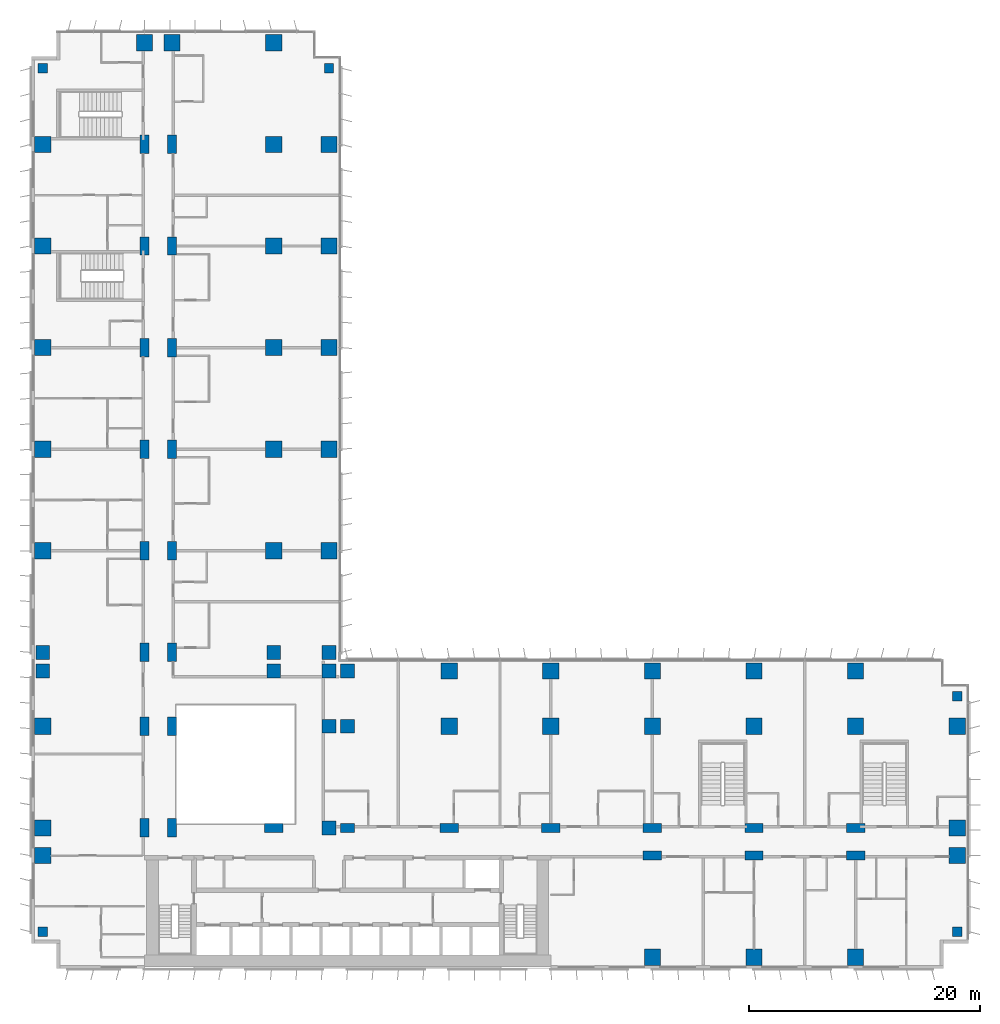
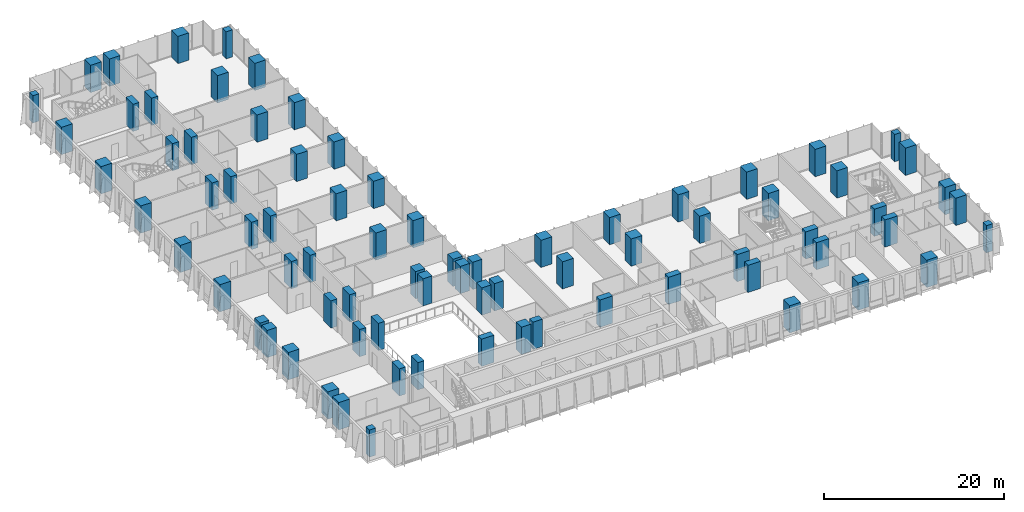
# One storey, part 1 of 24: 78 columns.
"""IFC4 building model written with IfcOpenShell, lengths in metres."""

from ifc_helpers import new_model, si_unit, direction, frame, origin, origin_2d, place, context, subcontext, project, spatial, rectangle, extrude, material, material_profile, profile_set, type_object, element, save


model = new_model("IFC4")

# Units and contexts
model_context = context("Model", 3, precision=1e-05, world=origin(), true_north=direction((0.0, 1.0)))
body_context = subcontext(model_context, "Body", "Model", "MODEL_VIEW")
ifc_project = project(units=[si_unit("LENGTHUNIT", "METRE"), si_unit("AREAUNIT", "SQUARE_METRE"), si_unit("VOLUMEUNIT", "CUBIC_METRE"), si_unit("PLANEANGLEUNIT", "RADIAN"), si_unit("MASSUNIT", "GRAM", prefix="KILO")], contexts=[model_context])

# Site, building, storey
site_placement = place(None, origin())
site = spatial("IfcSite", under=ifc_project, at=site_placement, CompositionType="ELEMENT")
building_placement = place(site_placement, origin())
building = spatial("IfcBuilding", under=site, at=building_placement, Name="Kemantara Hotel Tower", CompositionType="ELEMENT")
storey_placement = place(building_placement, frame((0.0, 0.0, 76.0)))
storey = spatial("IfcBuildingStorey", under=building, at=storey_placement, Name="L17", CompositionType="ELEMENT", Elevation=76.0)

# Columns
ifc_material = material(Name="Concrete fc 70 MPa", Category="concrete")
ifc_material_profile_1 = material_profile(ifc_material, rectangle(XDim=1.199951171875, YDim=1.199951171875, at=origin_2d()), Name="RC 1200X1200")
ifc_profile_set_1 = profile_set([ifc_material_profile_1], Name="Concrete fc 70 MPa")
column_type_1 = type_object("IfcColumnType", Name="RC COLUMN 1200X1200 FC70", PredefinedType="COLUMN", material=ifc_profile_set_1)
for number, where, z_axis, x_axis, name in (
    (1, (1.0, 25.800048828125, 0.0), (0.0, 0.0, 1.0), (1.0, 0.0, 0.0), "COLUMN 1/CA L17"),
    (2, (1.0, 27.39990234375, 0.0), (0.0, 0.0, 1.0), (1.0, 0.0, 0.0), "COLUMN 1/D L17"),
    (3, (21.0, 25.800048828125, 0.0), (0.0, 0.0, 1.0), (1.0, 0.0, 0.0), "COLUMN 3/CA L17"),
    (4, (21.0, 27.39990234375, 0.0), (0.0, 0.0, 1.0), (1.0, 0.0, 0.0), "COLUMN 3/D L17"),
    (5, (25.800048828125, 12.199951171875, 0.0), (0.0, 0.0, 1.0), (1.0, 0.0, 0.0), "COLUMN 3A/BA L17"),
    (6, (25.800048828125, 21.0, 0.0), (0.0, 0.0, 1.0), (1.0, 0.0, 0.0), "COLUMN 3A/C L17"),
    (7, (25.800048828125, 25.800048828125, 0.0), (0.0, 0.0, 1.0), (1.0, 0.0, 0.0), "COLUMN 3A/CA L17"),
    (8, (25.800048828125, 27.39990234375, 0.0), (0.0, 0.0, 1.0), (1.0, 0.0, 0.0), "COLUMN 3A/D L17"),
    (9, (27.39990234375, 21.0, 0.0), (0.0, 0.0, 1.0), (1.0, 0.0, 0.0), "COLUMN 4/C L17"),
    (10, (27.39990234375, 25.800048828125, 0.0), (0.0, 0.0, 1.0), (1.0, 0.0, 0.0), "COLUMN 4/CA L17"),
):
    element("IfcColumn", number, at=place(storey_placement, frame(where, z_axis=z_axis, x_axis=x_axis)), inside=storey, type_object=column_type_1, Name=name, PredefinedType="COLUMN", context=body_context, shape_type="SweptSolid", body=[
        extrude(rectangle(XDim=1.199951171875, YDim=1.199951171875, at=origin_2d()), origin(), (0.0, 0.0, 1.0), 3.699951171875),
    ])
ifc_material_profile_2 = material_profile(ifc_material, rectangle(XDim=1.199951171875, YDim=0.800048828125, at=origin_2d()), Name="RC 1200X800")
ifc_profile_set_2 = profile_set([ifc_material_profile_2], Name="Concrete fc 70 MPa")
column_type_2 = type_object("IfcColumnType", Name="RC COLUMN 1200X800 FC70", PredefinedType="COLUMN", material=ifc_profile_set_2)
column_placement = place(storey_placement, frame((27.39990234375, 12.199951171875, 0.0), z_axis=(0.0, 0.0, 1.0), x_axis=(1.0, 0.0, 0.0)))
element("IfcColumn", 11, at=column_placement, inside=storey, type_object=column_type_2, Name="COLUMN 4/BA L17", PredefinedType="COLUMN", context=body_context, shape_type="SweptSolid", body=[
    extrude(rectangle(XDim=1.199951171875, YDim=0.800048828125, at=origin_2d()), origin(), (0.0, 0.0, 1.0), 3.699951171875),
])
ifc_material_profile_3 = material_profile(ifc_material, rectangle(XDim=1.39990234375, YDim=1.39990234375, at=origin_2d()), Name="RC 1400X1400")
ifc_profile_set_3 = profile_set([ifc_material_profile_3], Name="Concrete fc 70 MPa")
column_type_3 = type_object("IfcColumnType", Name="RC COLUMN 1400X1400 FC70", PredefinedType="COLUMN", material=ifc_profile_set_3)
for number, where, z_axis, x_axis, name in (
    (12, (1.0, 9.800048828125, 0.0), (0.0, 0.0, 1.0), (1.0, 0.0, 0.0), "COLUMN 1/B L17"),
    (13, (1.0, 12.199951171875, 0.0), (0.0, 0.0, 1.0), (1.0, 0.0, 0.0), "COLUMN 1/BA L17"),
    (14, (1.0, 21.0, 0.0), (0.0, 0.0, 1.0), (1.0, 0.0, 0.0), "COLUMN 1/C L17"),
    (15, (1.0, 36.199951171875, 0.0), (0.0, 0.0, 1.0), (1.0, 0.0, 0.0), "COLUMN 1/E L17"),
    (16, (1.0, 45.0, 0.0), (0.0, 0.0, 1.0), (1.0, 0.0, 0.0), "COLUMN 1/F L17"),
    (17, (1.0, 53.800048828125, 0.0), (0.0, 0.0, 1.0), (1.0, 0.0, 0.0), "COLUMN 1/G L17"),
    (18, (1.0, 62.60009765625, 0.0), (0.0, 0.0, 1.0), (1.0, 0.0, 0.0), "COLUMN 1/H L17"),
    (19, (1.0, 71.39990234375, 0.0), (0.0, 0.0, 1.0), (1.0, 0.0, 0.0), "COLUMN 1/J L17"),
    (20, (9.800048828125, 80.199951171875, 0.0), (0.0, 0.0, 1.0), (1.0, 0.0, 0.0), "COLUMN 2/K L17"),
    (21, (12.199951171875, 80.199951171875, 0.0), (0.0, 0.0, 1.0), (1.0, 0.0, 0.0), "COLUMN 2A/K L17"),
    (22, (21.0, 36.199951171875, 0.0), (0.0, 0.0, 1.0), (1.0, 0.0, 0.0), "COLUMN 3/E L17"),
    (23, (21.0, 45.0, 0.0), (0.0, 0.0, 1.0), (1.0, 0.0, 0.0), "COLUMN 3/F L17"),
    (24, (21.0, 53.800048828125, 0.0), (0.0, 0.0, 1.0), (1.0, 0.0, 0.0), "COLUMN 3/G L17"),
    (25, (21.0, 62.60009765625, 0.0), (0.0, 0.0, 1.0), (1.0, 0.0, 0.0), "COLUMN 3/H L17"),
    (26, (21.0, 71.39990234375, 0.0), (0.0, 0.0, 1.0), (1.0, 0.0, 0.0), "COLUMN 3/J L17"),
    (27, (21.0, 80.199951171875, 0.0), (0.0, 0.0, 1.0), (1.0, 0.0, 0.0), "COLUMN 3/K L17"),
    (28, (25.800048828125, 36.199951171875, 0.0), (0.0, 0.0, 1.0), (1.0, 0.0, 0.0), "COLUMN 3A/E L17"),
    (29, (25.800048828125, 45.0, 0.0), (0.0, 0.0, 1.0), (1.0, 0.0, 0.0), "COLUMN 3A/F L17"),
    (30, (25.800048828125, 53.800048828125, 0.0), (0.0, 0.0, 1.0), (1.0, 0.0, 0.0), "COLUMN 3A/G L17"),
    (31, (25.800048828125, 62.60009765625, 0.0), (0.0, 0.0, 1.0), (1.0, 0.0, 0.0), "COLUMN 3A/H L17"),
    (32, (25.800048828125, 71.39990234375, 0.0), (0.0, 0.0, 1.0), (1.0, 0.0, 0.0), "COLUMN 3A/J L17"),
    (33, (36.199951171875, 21.0, 0.0), (0.0, 0.0, 1.0), (1.0, 0.0, 0.0), "COLUMN 5/C L17"),
    (34, (36.199951171875, 25.800048828125, 0.0), (0.0, 0.0, 1.0), (1.0, 0.0, 0.0), "COLUMN 5/CA L17"),
    (35, (45.0, 21.0, 0.0), (0.0, 0.0, 1.0), (1.0, 0.0, 0.0), "COLUMN 6/C L17"),
    (36, (45.0, 25.800048828125, 0.0), (0.0, 0.0, 1.0), (1.0, 0.0, 0.0), "COLUMN 6/CA L17"),
    (37, (53.800048828125, 1.0, 0.0), (0.0, 0.0, 1.0), (1.0, 0.0, 0.0), "COLUMN 7/A L17"),
    (38, (53.800048828125, 21.0, 0.0), (0.0, 0.0, 1.0), (1.0, 0.0, 0.0), "COLUMN 7/C L17"),
    (39, (53.800048828125, 25.800048828125, 0.0), (0.0, 0.0, 1.0), (1.0, 0.0, 0.0), "COLUMN 7/CA L17"),
    (40, (62.60009765625, 1.0, 0.0), (0.0, 0.0, 1.0), (1.0, 0.0, 0.0), "COLUMN 8/A L17"),
    (41, (62.60009765625, 21.0, 0.0), (0.0, 0.0, 1.0), (1.0, 0.0, 0.0), "COLUMN 8/C L17"),
    (42, (62.60009765625, 25.800048828125, 0.0), (0.0, 0.0, 1.0), (1.0, 0.0, 0.0), "COLUMN 8/CA L17"),
    (43, (71.39990234375, 1.0, 0.0), (0.0, 0.0, 1.0), (1.0, 0.0, 0.0), "COLUMN 9/A L17"),
    (44, (71.39990234375, 21.0, 0.0), (0.0, 0.0, 1.0), (1.0, 0.0, 0.0), "COLUMN 9/C L17"),
    (45, (71.39990234375, 25.800048828125, 0.0), (0.0, 0.0, 1.0), (1.0, 0.0, 0.0), "COLUMN 9/CA L17"),
    (46, (80.199951171875, 9.800048828125, 0.0), (0.0, 0.0, 1.0), (1.0, 0.0, 0.0), "COLUMN 10/B L17"),
    (47, (80.199951171875, 12.199951171875, 0.0), (0.0, 0.0, 1.0), (1.0, 0.0, 0.0), "COLUMN 10/BA L17"),
    (48, (80.199951171875, 21.0, 0.0), (0.0, 0.0, 1.0), (1.0, 0.0, 0.0), "COLUMN 10/C L17"),
):
    element("IfcColumn", number, at=place(storey_placement, frame(where, z_axis=z_axis, x_axis=x_axis)), inside=storey, type_object=column_type_3, Name=name, PredefinedType="COLUMN", context=body_context, shape_type="SweptSolid", body=[
        extrude(rectangle(XDim=1.39990234375, YDim=1.39990234375, at=origin_2d()), origin(), (0.0, 0.0, 1.0), 3.699951171875),
    ])
ifc_material_profile_4 = material_profile(ifc_material, rectangle(XDim=1.60009765625, YDim=0.800048828125, at=origin_2d()), Name="RC 1600X800")
ifc_profile_set_4 = profile_set([ifc_material_profile_4], Name="Concrete fc 70 MPa")
column_type_4 = type_object("IfcColumnType", Name="RC COLUMN 1600X800 FC70", PredefinedType="COLUMN", material=ifc_profile_set_4)
for number, where, z_axis, x_axis, name in (
    (49, (9.800048828125, 12.199951171875, 0.0), (0.0, 0.0, 1.0), (0.0, 1.0, 0.0), "COLUMN 2/BA L17"),
    (50, (9.800048828125, 21.0, 0.0), (0.0, 0.0, 1.0), (0.0, 1.0, 0.0), "COLUMN 2/C L17"),
    (51, (9.800048828125, 27.39990234375, 0.0), (0.0, 0.0, 1.0), (0.0, 1.0, 0.0), "COLUMN 2/D L17"),
    (52, (9.800048828125, 36.199951171875, 0.0), (0.0, 0.0, 1.0), (0.0, 1.0, 0.0), "COLUMN 2/E L17"),
    (53, (9.800048828125, 45.0, 0.0), (0.0, 0.0, 1.0), (0.0, 1.0, 0.0), "COLUMN 2/F L17"),
    (54, (9.800048828125, 53.800048828125, 0.0), (0.0, 0.0, 1.0), (0.0, 1.0, 0.0), "COLUMN 2/G L17"),
    (55, (9.800048828125, 62.60009765625, 0.0), (0.0, 0.0, 1.0), (0.0, 1.0, 0.0), "COLUMN 2/H L17"),
    (56, (9.800048828125, 71.39990234375, 0.0), (0.0, 0.0, 1.0), (0.0, 1.0, 0.0), "COLUMN 2/J L17"),
    (57, (12.199951171875, 12.199951171875, 0.0), (0.0, 0.0, 1.0), (0.0, 1.0, 0.0), "COLUMN 2A/BA L17"),
    (58, (12.199951171875, 21.0, 0.0), (0.0, 0.0, 1.0), (0.0, 1.0, 0.0), "COLUMN 2A/C L17"),
    (59, (12.199951171875, 27.39990234375, 0.0), (0.0, 0.0, 1.0), (0.0, 1.0, 0.0), "COLUMN 2A/D L17"),
    (60, (12.199951171875, 36.199951171875, 0.0), (0.0, 0.0, 1.0), (0.0, 1.0, 0.0), "COLUMN 2A/E L17"),
    (61, (12.199951171875, 45.0, 0.0), (0.0, 0.0, 1.0), (0.0, 1.0, 0.0), "COLUMN 2A/F L17"),
    (62, (12.199951171875, 53.800048828125, 0.0), (0.0, 0.0, 1.0), (0.0, 1.0, 0.0), "COLUMN 2A/G L17"),
    (63, (12.199951171875, 62.60009765625, 0.0), (0.0, 0.0, 1.0), (0.0, 1.0, 0.0), "COLUMN 2A/H L17"),
    (64, (12.199951171875, 71.39990234375, 0.0), (0.0, 0.0, 1.0), (0.0, 1.0, 0.0), "COLUMN 2A/J L17"),
    (65, (21.0, 12.199951171875, 0.0), (0.0, 0.0, 1.0), (1.0, 0.0, 0.0), "COLUMN 3/BA L17"),
    (66, (36.199951171875, 12.199951171875, 0.0), (0.0, 0.0, 1.0), (1.0, 0.0, 0.0), "COLUMN 5/BA L17"),
    (67, (45.0, 12.199951171875, 0.0), (0.0, 0.0, 1.0), (1.0, 0.0, 0.0), "COLUMN 6/BA L17"),
    (68, (53.800048828125, 9.800048828125, 0.0), (0.0, 0.0, 1.0), (1.0, 0.0, 0.0), "COLUMN 7/B L17"),
    (69, (53.800048828125, 12.199951171875, 0.0), (0.0, 0.0, 1.0), (1.0, 0.0, 0.0), "COLUMN 7/BA L17"),
    (70, (62.60009765625, 9.800048828125, 0.0), (0.0, 0.0, 1.0), (1.0, 0.0, 0.0), "COLUMN 8/B L17"),
    (71, (62.60009765625, 12.199951171875, 0.0), (0.0, 0.0, 1.0), (1.0, 0.0, 0.0), "COLUMN 8/BA L17"),
    (72, (71.39990234375, 9.800048828125, 0.0), (0.0, 0.0, 1.0), (1.0, 0.0, 0.0), "COLUMN 9/B L17"),
    (73, (71.39990234375, 12.199951171875, 0.0), (0.0, 0.0, 1.0), (1.0, 0.0, 0.0), "COLUMN 9/BA L17"),
):
    element("IfcColumn", number, at=place(storey_placement, frame(where, z_axis=z_axis, x_axis=x_axis)), inside=storey, type_object=column_type_4, Name=name, PredefinedType="COLUMN", context=body_context, shape_type="SweptSolid", body=[
        extrude(rectangle(XDim=1.60009765625, YDim=0.800048828125, at=origin_2d()), origin(), (0.0, 0.0, 1.0), 3.699951171875),
    ])
ifc_material_profile_5 = material_profile(ifc_material, rectangle(XDim=0.800048828125, YDim=0.800048828125, at=origin_2d()), Name="RC 800X800")
ifc_profile_set_5 = profile_set([ifc_material_profile_5], Name="Concrete fc 70 MPa")
column_type_5 = type_object("IfcColumnType", Name="RC COLUMN 800X800 FC70", PredefinedType="COLUMN", material=ifc_profile_set_5)
for number, where, z_axis, x_axis, name in (
    (74, (1.0, 3.199951171875, 0.0), (0.0, 0.0, 1.0), (1.0, 0.0, 0.0), "COLUMN notch corner L17"),
    (75, (1.0, 78.0, 0.0), (0.0, 0.0, 1.0), (1.0, 0.0, 0.0), "COLUMN notch corner L17"),
    (76, (25.800048828125, 78.0, 0.0), (0.0, 0.0, 1.0), (1.0, 0.0, 0.0), "COLUMN notch corner L17"),
    (77, (80.199951171875, 3.199951171875, 0.0), (0.0, 0.0, 1.0), (1.0, 0.0, 0.0), "COLUMN notch corner L17"),
    (78, (80.199951171875, 23.60009765625, 0.0), (0.0, 0.0, 1.0), (1.0, 0.0, 0.0), "COLUMN notch corner L17"),
):
    element("IfcColumn", number, at=place(storey_placement, frame(where, z_axis=z_axis, x_axis=x_axis)), inside=storey, type_object=column_type_5, Name=name, PredefinedType="COLUMN", context=body_context, shape_type="SweptSolid", body=[
        extrude(rectangle(XDim=0.800048828125, YDim=0.800048828125, at=origin_2d()), origin(), (0.0, 0.0, 1.0), 3.699951171875),
    ])

save(model, "model.ifc")
